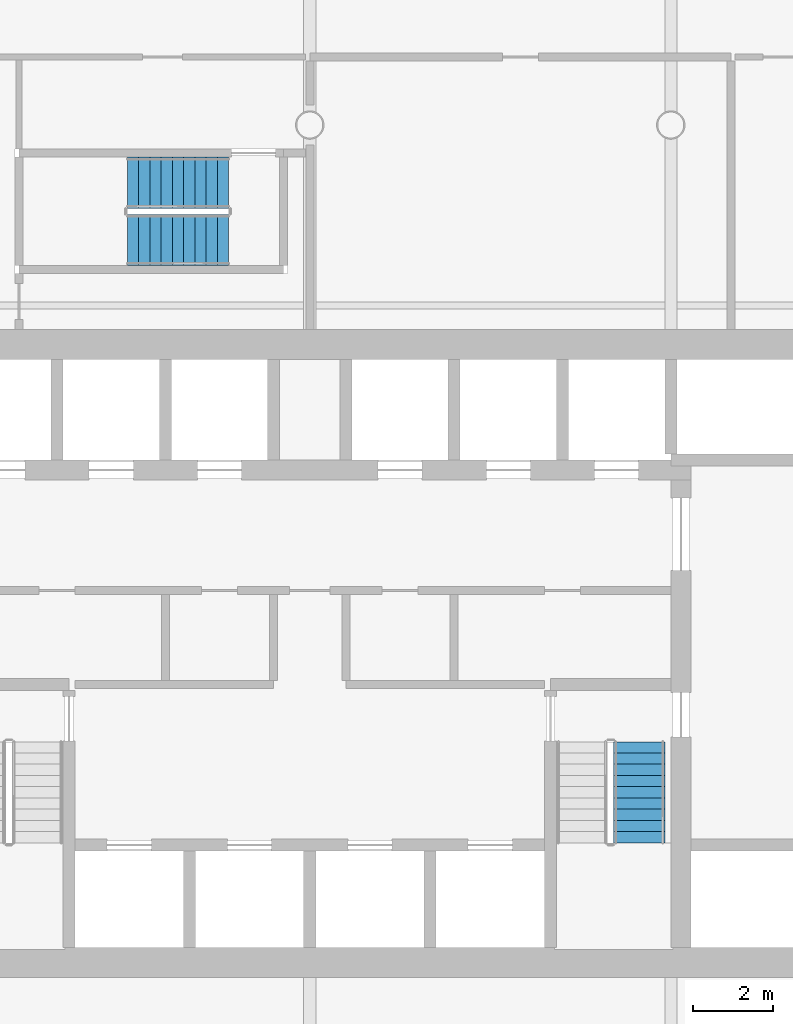
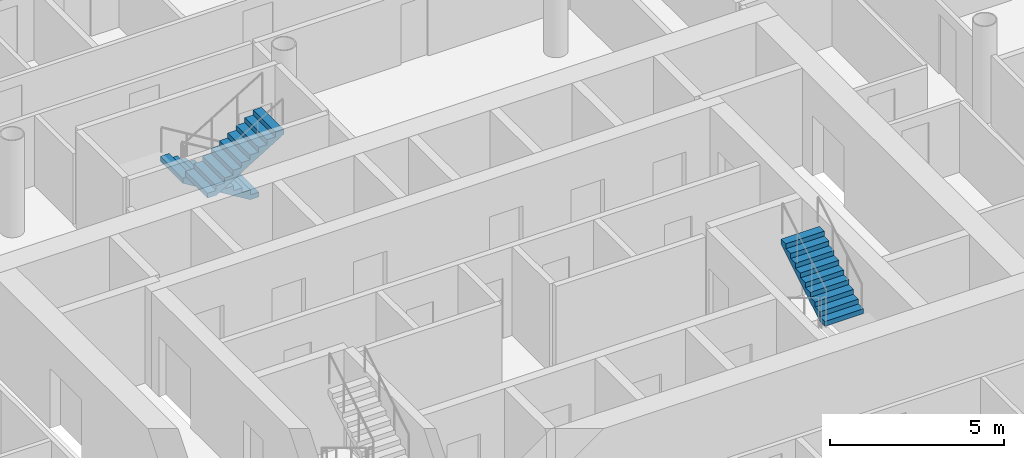
# One storey, part 18 of 23: 3 stair flights, 2 elements without a shape of their own.
"""IFC4 building model written with IfcOpenShell, lengths in metres."""

import ifcopenshell
import ifcopenshell.guid

model = None  # the IFC model being written
_history = None  # IfcOwnerHistory: only IFC2X3 demands one
_inside = {}  # id of a spatial element -> (the spatial element, [elements in it])
_under = {}  # id of a project, library or spatial element -> (it, [spatial elements below it])
_declared = {}  # id of a project -> (the project, [libraries it declares])
_typed = {}  # id of a type object -> (the type object, [elements of that type])
_made_of = {}  # id of a material, layer set ... -> (it, [elements and type objects made of it])


def new_model(schema):
    """Start an empty IFC model of exactly this schema.

    Asked for "IFC4X3", IfcOpenShell would pick the latest addendum, in which some entities
    have other attributes; the version numbers below select the first issue.
    IFC2X3 requires an IfcOwnerHistory on every rooted entity: one is made here for all.
    """
    global model, _history
    if schema == "IFC4X3":
        model = ifcopenshell.file(schema_version=(4, 3, 0, 0))
    else:
        model = ifcopenshell.file(schema=schema)
    _inside.clear()
    _under.clear()
    _declared.clear()
    _typed.clear()
    _made_of.clear()
    _history = None
    if model.schema == "IFC2X3":
        org = make("IfcOrganization", Name="unknown")
        user = make(
            "IfcPersonAndOrganization",
            ThePerson=make("IfcPerson", FamilyName="unknown"),
            TheOrganization=org,
        )
        app = make(
            "IfcApplication",
            ApplicationDeveloper=org,
            Version="unknown",
            ApplicationFullName="unknown",
            ApplicationIdentifier="unknown",
        )
        _history = make(
            "IfcOwnerHistory",
            OwningUser=user,
            OwningApplication=app,
            ChangeAction="ADDED",
            CreationDate=0,
        )
    return model


def make(cls, **values):
    """One entity of the class cls with the attributes given. An attribute that is None is left unset."""
    return model.create_entity(
        cls, **{name: value for name, value in values.items() if value is not None}
    )


def rooted(cls, **values):
    """An entity with a GlobalId (a new one), such as an element, a storey or a relation."""
    return make(cls, GlobalId=ifcopenshell.guid.new(), OwnerHistory=_history, **values)


def si_unit(unit_type, name, prefix=None):
    """IfcSIUnit, for example si_unit("LENGTHUNIT", "METRE", prefix="MILLI")."""
    return make("IfcSIUnit", UnitType=unit_type, Prefix=prefix, Name=name)


def assignment(units):
    """IfcUnitAssignment: the units of a project."""
    return None if units is None else make("IfcUnitAssignment", Units=units)


def point(xyz):
    """IfcCartesianPoint."""
    return None if xyz is None else make("IfcCartesianPoint", Coordinates=xyz)


def direction(xyz):
    """IfcDirection."""
    return None if xyz is None else make("IfcDirection", DirectionRatios=xyz)


def frame(location, z_axis=None, x_axis=None):
    """IfcAxis2Placement3D, a coordinate frame: its origin and axes. An axis left out is left unset."""
    return make(
        "IfcAxis2Placement3D",
        Location=point(location),
        Axis=direction(z_axis),
        RefDirection=direction(x_axis),
    )


def origin():
    """The frame at (0, 0, 0) with its axes left unset."""
    return frame((0.0, 0.0, 0.0))


def place(relative_to, where):
    """IfcLocalPlacement: puts the frame where relative to a parent placement (None: the world)."""
    return make(
        "IfcLocalPlacement", PlacementRelTo=relative_to, RelativePlacement=where
    )


def context(
    kind, dimensions, precision=None, world=None, true_north=None, identifier=None
):
    """IfcGeometricRepresentationContext, for example the 3D "Model" context."""
    return make(
        "IfcGeometricRepresentationContext",
        ContextIdentifier=identifier,
        ContextType=kind,
        CoordinateSpaceDimension=dimensions,
        Precision=precision,
        WorldCoordinateSystem=world,
        TrueNorth=true_north,
    )


def subcontext(parent, identifier, kind, view, scale=None):
    """IfcGeometricRepresentationSubContext, for example "Body" below "Model"."""
    return make(
        "IfcGeometricRepresentationSubContext",
        ContextIdentifier=identifier,
        ContextType=kind,
        ParentContext=parent,
        TargetScale=scale,
        TargetView=view,
    )


def project(units=None, contexts=None):
    """IfcProject with its units and contexts."""
    return rooted(
        "IfcProject",
        Name="project",
        RepresentationContexts=contexts,
        UnitsInContext=assignment(units),
    )


def spatial(cls, under=None, at=None, **own):
    """A site, building, storey or space (cls), placed at a placement, below another one or the project."""
    s = rooted(cls, ObjectPlacement=at, **own)
    if under is not None:
        _under.setdefault(under.id(), (under, []))[1].append(s)
    return s


def polyline(points):
    """IfcPolyline through the points."""
    return make("IfcPolyline", Points=[point(p) for p in points])


def outline(outer, holes=None, kind="AREA"):
    """IfcArbitraryClosedProfileDef: a profile drawn as a closed curve; with holes, ...WithVoids."""
    if holes is None:
        return make("IfcArbitraryClosedProfileDef", ProfileType=kind, OuterCurve=outer)
    return make(
        "IfcArbitraryProfileDefWithVoids",
        ProfileType=kind,
        OuterCurve=outer,
        InnerCurves=holes,
    )


def extrude(swept, where, along, depth):
    """IfcExtrudedAreaSolid: the profile swept, set in the frame where, extruded along a direction by depth."""
    return make(
        "IfcExtrudedAreaSolid",
        SweptArea=swept,
        Position=where,
        ExtrudedDirection=direction(along),
        Depth=depth,
    )


def shape(context_of_items, identifier, shape_type, items):
    """IfcShapeRepresentation: the items that make up one representation, for example the "Body"."""
    return make(
        "IfcShapeRepresentation",
        ContextOfItems=context_of_items,
        RepresentationIdentifier=identifier,
        RepresentationType=shape_type,
        Items=items,
    )


def material(Name=None, Category=None):
    """IfcMaterial."""
    return make("IfcMaterial", Name=Name, Category=Category)


def made_of(thing, what):
    """Note that an element or type object is made of a material, layer set ...; save() writes the relation."""
    if what is not None:
        _made_of.setdefault(what.id(), (what, []))[1].append(thing)
    return thing


def type_object(cls, material=None, **own):
    """A type object (cls), such as IfcWallType, which elements share."""
    return made_of(rooted(cls, **own), material)


def element(
    cls,
    number,
    at=None,
    inside=None,
    cuts=None,
    type_object=None,
    material=None,
    context=None,
    identifier="Body",
    shape_type=None,
    held_by="IfcProductDefinitionShape",
    body=None,
    shapes=None,
    **own,
):
    """One element of the class cls, such as IfcWall. Its Tag is "e" and its number.

    at: its placement. inside: the storey or other place that contains it. cuts: it is an
    opening in that element (IfcRelVoidsElement). A single representation is given by context,
    identifier, shape_type and body (its items); several are given by shapes. held_by: the class
    of the entity that holds the representations. save() writes the other relations.
    """
    e = rooted(cls, Tag="e%d" % number, ObjectPlacement=at, **own)
    if body is not None:
        shapes = [shape(context, identifier, shape_type, body)]
    if shapes is not None:
        e.Representation = make(held_by, Representations=shapes)
    if inside is not None:
        _inside.setdefault(inside.id(), (inside, []))[1].append(e)
    if cuts is not None:
        rooted(
            "IfcRelVoidsElement", RelatingBuildingElement=cuts, RelatedOpeningElement=e
        )
    if type_object is not None:
        _typed.setdefault(type_object.id(), (type_object, []))[1].append(e)
    return made_of(e, material)


def aggregate(whole, parts):
    """IfcRelAggregates: a whole, such as a stair, and the parts it consists of."""
    return rooted("IfcRelAggregates", RelatingObject=whole, RelatedObjects=parts)


def save(model, path):
    """Write the relations noted so far, then the file.

    IfcRelAggregates (storeys below a building ...), IfcRelContainedInSpatialStructure (elements
    in a storey), IfcRelDefinesByType, IfcRelAssociatesMaterial and IfcRelDeclares: one each for
    every whole, place, type object, material and project.
    """
    for whole, parts in _under.values():
        aggregate(whole, parts)
    for where, things in _inside.values():
        rooted(
            "IfcRelContainedInSpatialStructure",
            RelatedElements=things,
            RelatingStructure=where,
        )
    for kind, things in _typed.values():
        rooted("IfcRelDefinesByType", RelatedObjects=things, RelatingType=kind)
    for what, things in _made_of.values():
        rooted("IfcRelAssociatesMaterial", RelatedObjects=things, RelatingMaterial=what)
    for by, libraries in _declared.values():
        rooted("IfcRelDeclares", RelatingContext=by, RelatedDefinitions=libraries)
    model.write(path)


model = new_model("IFC4")

# Units and contexts
model_context = context("Model", 3, precision=1e-05, world=origin(), true_north=direction((0.0, 1.0)))
body_context = subcontext(model_context, "Body", "Model", "MODEL_VIEW")
ifc_project = project(units=[si_unit("LENGTHUNIT", "METRE"), si_unit("AREAUNIT", "SQUARE_METRE"), si_unit("VOLUMEUNIT", "CUBIC_METRE"), si_unit("PLANEANGLEUNIT", "RADIAN"), si_unit("MASSUNIT", "GRAM", prefix="KILO")], contexts=[model_context])

# Site, building, storey
site_placement = place(None, origin())
site = spatial("IfcSite", under=ifc_project, at=site_placement, CompositionType="ELEMENT")
building_placement = place(site_placement, origin())
building = spatial("IfcBuilding", under=site, at=building_placement, Name="Tskaro Facet Tower", CompositionType="ELEMENT")
storey_placement = place(building_placement, frame((0.0, 0.0, 131.699951171875)))
storey = spatial("IfcBuildingStorey", under=building, at=storey_placement, Name="L31", CompositionType="ELEMENT", Elevation=131.699951171875)

# Stair, stair flight
ifc_material = material(Name="Concrete C40/50", Category="concrete")
stair_type = type_object("IfcStairType", Name="ST-TWR", PredefinedType="HALF_TURN_STAIR", material=ifc_material)
stair_1_placement = place(storey_placement, origin())
stair_1 = element("IfcStair", 1, at=stair_1_placement, inside=storey, type_object=stair_type, Name="L31 Exit stair 2", PredefinedType="HALF_TURN_STAIR")
stair_flight_type = type_object("IfcStairFlightType", Name="SFL-RC", PredefinedType="STRAIGHT", material=ifc_material)
stair_flight_1_placement = place(storey_placement, frame((8.21240234375, -8.89501953125, 1.699951171875), z_axis=(0.0, 0.0, 1.0), x_axis=(0.0, 1.0, 0.0)))
stair_flight_1 = element("IfcStairFlight", 2, at=stair_flight_1_placement, type_object=stair_flight_type, Name="ST-2 flight 2", NumberOfRisers=10, NumberOfTreads=9, PredefinedType="STRAIGHT", RiserHeight=0.17, TreadLength=0.28, context=body_context, shape_type="SweptSolid", body=[
    extrude(outline(polyline([(0.0, 0.0), (0.0, 0.169921875), (0.280029296875, 0.169921875), (0.280029296875, 0.340087890625), (0.56005859375, 0.340087890625), (0.56005859375, 0.510009765625), (0.840087890625, 0.510009765625), (0.840087890625, 0.679931640625), (1.1201171875, 0.679931640625), (1.1201171875, 0.85009765625), (1.39990234375, 0.85009765625), (1.39990234375, 1.02001953125), (1.679931640625, 1.02001953125), (1.679931640625, 1.18994140625), (1.9599609375, 1.18994140625), (1.9599609375, 1.360107421875), (2.239990234375, 1.360107421875), (2.239990234375, 1.530029296875), (2.52001953125, 1.530029296875), (2.52001953125, 1.699951171875), (2.52001953125, 1.354736328125), (0.288818359375, 0.0), (0.0, 0.0)])), frame((0.0, 0.637451171875, 0.0), z_axis=(0.0, -1.0, 0.0), x_axis=(1.0, 0.0, 0.0)), (0.0, 0.0, 1.0), 1.27490234375),
])
aggregate(stair_1, [stair_flight_1])

# Stair, stair flights
stair_2_placement = place(storey_placement, origin())
stair_2 = element("IfcStair", 3, at=stair_2_placement, inside=storey, type_object=stair_type, Name="L31 Exit stair 3", PredefinedType="HALF_TURN_STAIR")
stair_flight_2_placement = place(storey_placement, frame((-2.02490234375, 7.5625, 0.0), z_axis=(0.0, 0.0, 1.0), x_axis=(-1.0, 0.0, 0.0)))
stair_flight_2 = element("IfcStairFlight", 4, at=stair_flight_2_placement, type_object=stair_flight_type, Name="ST-3 flight 1", NumberOfRisers=10, NumberOfTreads=9, PredefinedType="STRAIGHT", RiserHeight=0.17, TreadLength=0.28, context=body_context, shape_type="SweptSolid", body=[
    extrude(outline(polyline([(0.0, 0.0), (0.0, 0.169921875), (0.280029296875, 0.169921875), (0.280029296875, 0.340087890625), (0.56005859375, 0.340087890625), (0.56005859375, 0.510009765625), (0.840087890625, 0.510009765625), (0.840087890625, 0.679931640625), (1.1201171875, 0.679931640625), (1.1201171875, 0.85009765625), (1.39990234375, 0.85009765625), (1.39990234375, 1.02001953125), (1.679931640625, 1.02001953125), (1.679931640625, 1.18994140625), (1.9599609375, 1.18994140625), (1.9599609375, 1.360107421875), (2.239990234375, 1.360107421875), (2.239990234375, 1.530029296875), (2.52001953125, 1.530029296875), (2.52001953125, 1.699951171875), (2.52001953125, 1.354736328125), (0.288818359375, 0.0), (0.0, 0.0)])), frame((0.0, 0.637451171875, 0.0), z_axis=(0.0, -1.0, 0.0), x_axis=(1.0, 0.0, 0.0)), (0.0, 0.0, 1.0), 1.27490234375),
])
stair_flight_3_placement = place(storey_placement, frame((-4.544921875, 6.137451171875, 1.699951171875), z_axis=(0.0, 0.0, 1.0), x_axis=(1.0, 0.0, 0.0)))
stair_flight_3 = element("IfcStairFlight", 5, at=stair_flight_3_placement, type_object=stair_flight_type, Name="ST-3 flight 2", NumberOfRisers=10, NumberOfTreads=9, PredefinedType="STRAIGHT", RiserHeight=0.17, TreadLength=0.28, context=body_context, shape_type="SweptSolid", body=[
    extrude(outline(polyline([(0.0, 0.0), (0.0, 0.169921875), (0.280029296875, 0.169921875), (0.280029296875, 0.340087890625), (0.56005859375, 0.340087890625), (0.56005859375, 0.510009765625), (0.840087890625, 0.510009765625), (0.840087890625, 0.679931640625), (1.1201171875, 0.679931640625), (1.1201171875, 0.85009765625), (1.39990234375, 0.85009765625), (1.39990234375, 1.02001953125), (1.679931640625, 1.02001953125), (1.679931640625, 1.18994140625), (1.9599609375, 1.18994140625), (1.9599609375, 1.360107421875), (2.239990234375, 1.360107421875), (2.239990234375, 1.530029296875), (2.52001953125, 1.530029296875), (2.52001953125, 1.699951171875), (2.52001953125, 1.354736328125), (0.288818359375, 0.0), (0.0, 0.0)])), frame((0.0, 0.637451171875, 0.0), z_axis=(0.0, -1.0, 0.0), x_axis=(1.0, 0.0, 0.0)), (0.0, 0.0, 1.0), 1.27490234375),
])
aggregate(stair_2, [stair_flight_2, stair_flight_3])

save(model, "model.ifc")
